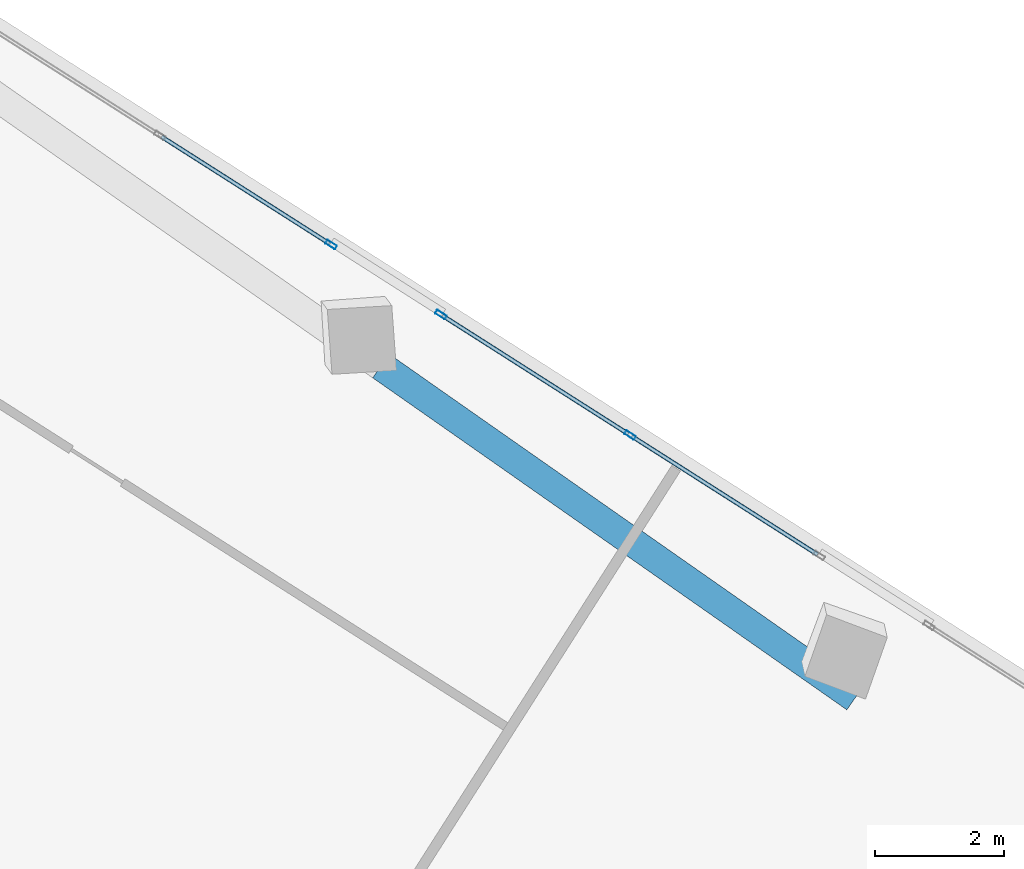
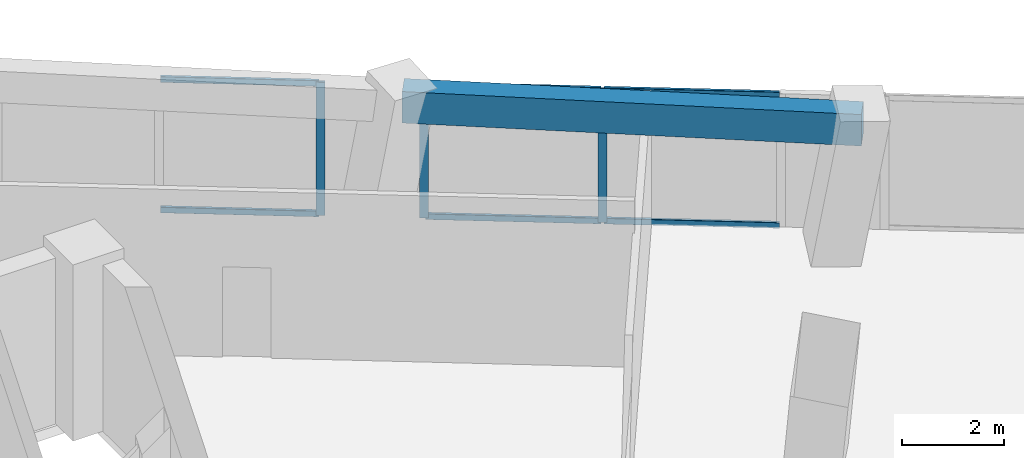
# One storey, part 16 of 24: 9 members, 1 beam, 2 elements without a shape of their own.
"""IFC4 building model written with IfcOpenShell, lengths in metres."""

from ifc_helpers import new_model, si_unit, direction, frame, origin, origin_2d, place, context, subcontext, project, spatial, rectangle, hollow_rectangle, extrude, source, transform, mapped, material, material_profile, profile_set, type_object, element, aggregate, save


model = new_model("IFC4")

# Units and contexts
model_context = context("Model", 3, precision=1e-05, world=origin(), true_north=direction((0.0, 1.0)))
body_context = subcontext(model_context, "Body", "Model", "MODEL_VIEW")
ifc_project = project(units=[si_unit("LENGTHUNIT", "METRE"), si_unit("AREAUNIT", "SQUARE_METRE"), si_unit("VOLUMEUNIT", "CUBIC_METRE"), si_unit("PLANEANGLEUNIT", "RADIAN"), si_unit("MASSUNIT", "GRAM", prefix="KILO")], contexts=[model_context])

# Site, building, storey
site_placement = place(None, origin())
site = spatial("IfcSite", under=ifc_project, at=site_placement, CompositionType="ELEMENT")
building_placement = place(site_placement, origin())
building = spatial("IfcBuilding", under=site, at=building_placement, Name="Torre Montelarca", CompositionType="ELEMENT")
storey_placement = place(building_placement, frame((0.0, 0.0, 191.800048828125)))
storey = spatial("IfcBuildingStorey", under=building, at=storey_placement, Name="L43", CompositionType="ELEMENT", Elevation=191.800048828125)

# Beam
ifc_material_1 = material(Name="Concrete C55/67", Category="concrete")
ifc_material_profile_1 = material_profile(ifc_material_1, rectangle(XDim=0.449951171875, YDim=0.75, at=origin_2d()), Name="RCB450X750", Category="concrete")
ifc_profile_set_1 = profile_set([ifc_material_profile_1], Name="Concrete C55/67")
beam_type = type_object("IfcBeamType", Name="BM-SP-RC750-EXT", PredefinedType="SPANDREL", material=ifc_profile_set_1)
shared_shape_1 = source(origin(), body_context, "Body", "SweptSolid", [
    extrude(rectangle(XDim=0.449951171875, YDim=0.75, at=origin_2d()), origin(), (0.0, 0.0, 1.0), 9.0),
])
beam_placement = place(storey_placement, frame((34.695068359375, 41.255615234375, 3.5849609375), z_axis=(0.819141427692, -0.573591598124, 0.0), x_axis=(0.573591598124, 0.819141427692, 0.0)))
element("IfcBeam", 1, at=beam_placement, inside=storey, type_object=beam_type, Name="L43 Grid Girder X 27.0-36.0 at Y=47.1", PredefinedType="SPANDREL", context=body_context, shape_type="MappedRepresentation", body=[
    mapped(shared_shape_1, transform((0.0, 0.0, 0.0), scale=1.0)),
])

# Curtain wall, members
ifc_material_2 = material(Name="Insulated low-E laminated glass", Category="glass")
curtain_wall_type = type_object("IfcCurtainWallType", Name="CW-SYS-Z2", PredefinedType="USERDEFINED", material=ifc_material_2)
curtain_wall_1_placement = place(storey_placement, origin())
curtain_wall_1 = element("IfcCurtainWall", 2, at=curtain_wall_1_placement, inside=storey, type_object=curtain_wall_type, Name="L43 Curtain Wall Run CW-T3-L43-E08-B2", ObjectType="UNITISED GLAZING", PredefinedType="USERDEFINED")
ifc_material_3 = material(Name="Anodised aluminium AA 6063-T6", Category="aluminium")
ifc_material_profile_2 = material_profile(ifc_material_3, hollow_rectangle(XDim=0.06494140625, YDim=0.179931640625, WallThickness=0.00390625, InnerFilletRadius=0.00390625, OuterFilletRadius=0.008056640625, at=origin_2d()), Name="ALU65X180X4", Category="aluminium")
ifc_profile_set_2 = profile_set([ifc_material_profile_2], Name="Anodised aluminium AA 6063-T6")
member_type_1 = type_object("IfcMemberType", Name="CWM-ALU180", PredefinedType="MULLION", material=ifc_profile_set_2)
shared_shape_2 = source(origin(), body_context, "Body", "SweptSolid", [
    extrude(hollow_rectangle(XDim=0.06494140625, YDim=0.179931640625, WallThickness=0.00390625, InnerFilletRadius=0.00390625, OuterFilletRadius=0.008056640625, at=origin_2d()), origin(), (0.0, 0.0, 1.0), 3.175048828125),
])
member_1_placement = place(storey_placement, frame((38.568359375, 40.180419921875, 0.0), z_axis=(0.0, 0.0, 1.0), x_axis=(-0.537299136145, -0.843391746638, 0.0)))
member_1 = element("IfcMember", 3, at=member_1_placement, type_object=member_type_1, Name="CW mullion 2", PredefinedType="MULLION", context=body_context, shape_type="MappedRepresentation", body=[
    mapped(shared_shape_2, transform((0.0, 0.0, 0.0), scale=1.0)),
])
member_2_placement = place(storey_placement, frame((35.626953125, 42.05419921875, 0.0), z_axis=(0.0, 0.0, 1.0), x_axis=(-0.537299136145, -0.843391746638, 0.0)))
member_2 = element("IfcMember", 4, at=member_2_placement, type_object=member_type_1, Name="CW mullion 3", PredefinedType="MULLION", context=body_context, shape_type="MappedRepresentation", body=[
    mapped(shared_shape_2, transform((0.0, 0.0, 0.0), scale=1.0)),
])

# Curtain wall, member
curtain_wall_2_placement = place(storey_placement, origin())
curtain_wall_2 = element("IfcCurtainWall", 5, at=curtain_wall_2_placement, inside=storey, type_object=curtain_wall_type, Name="L43 Curtain Wall Run CW-T3-L43-E08-B3", ObjectType="UNITISED GLAZING", PredefinedType="USERDEFINED")
member_3_placement = place(storey_placement, frame((33.919189453125, 43.14208984375, 0.0), z_axis=(0.0, 0.0, 1.0), x_axis=(-0.537297609846, -0.843392718995, 0.0)))
member_3 = element("IfcMember", 6, at=member_3_placement, type_object=member_type_1, Name="CW mullion 1", PredefinedType="MULLION", context=body_context, shape_type="MappedRepresentation", body=[
    mapped(shared_shape_2, transform((0.0, 0.0, 0.0), scale=1.0)),
])

# Member
ifc_material_profile_3 = material_profile(ifc_material_3, hollow_rectangle(XDim=0.06494140625, YDim=0.139892578125, WallThickness=0.00390625, InnerFilletRadius=0.00390625, OuterFilletRadius=0.008056640625, at=origin_2d()), Name="ALU65X140X4", Category="aluminium")
ifc_profile_set_3 = profile_set([ifc_material_profile_3], Name="Anodised aluminium AA 6063-T6")
member_type_2 = type_object("IfcMemberType", Name="CWT-ALU140", PredefinedType="USERDEFINED", material=ifc_profile_set_3)
shared_shape_3 = source(origin(), body_context, "Body", "SweptSolid", [
    extrude(hollow_rectangle(XDim=0.06494140625, YDim=0.139892578125, WallThickness=0.00390625, InnerFilletRadius=0.00390625, OuterFilletRadius=0.008056640625, at=origin_2d()), origin(), (0.0, 0.0, 1.0), 3.42236328125),
])
member_4_placement = place(storey_placement, frame((41.482177734375, 38.323974609375, 0.032470703125), z_axis=(-0.843394086607, 0.537295463108, 0.0), x_axis=(-0.537295463108, -0.843394086607, 0.0)))
member_4 = element("IfcMember", 7, at=member_4_placement, type_object=member_type_2, Name="CW transom 1.1", ObjectType="TRANSOM", PredefinedType="USERDEFINED", context=body_context, shape_type="MappedRepresentation", body=[
    mapped(shared_shape_3, transform((0.0, 0.0, 0.0), scale=1.0)),
])

member_5_placement = place(storey_placement, frame((41.482177734375, 38.323974609375, 3.142333984375), z_axis=(-0.843394086607, 0.537295463108, 0.0), x_axis=(-0.537295463108, -0.843394086607, 0.0)))
member_5 = element("IfcMember", 8, at=member_5_placement, type_object=member_type_2, Name="CW transom 1.2", ObjectType="TRANSOM", PredefinedType="USERDEFINED", context=body_context, shape_type="MappedRepresentation", body=[
    mapped(shared_shape_3, transform((0.0, 0.0, 0.0), scale=1.0)),
])

member_6_placement = place(storey_placement, frame((38.541015625, 40.19775390625, 0.032470703125), z_axis=(-0.843394086607, 0.537295463108, 0.0), x_axis=(-0.537295463108, -0.843394086607, 0.0)))
member_6 = element("IfcMember", 9, at=member_6_placement, type_object=member_type_2, Name="CW transom 2.1", ObjectType="TRANSOM", PredefinedType="USERDEFINED", context=body_context, shape_type="MappedRepresentation", body=[
    mapped(shared_shape_3, transform((0.0, 0.0, 0.0), scale=1.0)),
])

member_7_placement = place(storey_placement, frame((38.541015625, 40.19775390625, 3.142333984375), z_axis=(-0.843394086607, 0.537295463108, 0.0), x_axis=(-0.537295463108, -0.843394086607, 0.0)))
member_7 = element("IfcMember", 10, at=member_7_placement, type_object=member_type_2, Name="CW transom 2.2", ObjectType="TRANSOM", PredefinedType="USERDEFINED", context=body_context, shape_type="MappedRepresentation", body=[
    mapped(shared_shape_3, transform((0.0, 0.0, 0.0), scale=1.0)),
])

aggregate(curtain_wall_1, [member_1, member_2, member_4, member_5, member_6, member_7])

shared_shape_4 = source(origin(), body_context, "Body", "SweptSolid", [
    extrude(hollow_rectangle(XDim=0.06494140625, YDim=0.139892578125, WallThickness=0.00390625, InnerFilletRadius=0.00390625, OuterFilletRadius=0.008056640625, at=origin_2d()), origin(), (0.0, 0.0, 1.0), 3.09033203125),
])
member_8_placement = place(storey_placement, frame((33.8916015625, 43.15966796875, 0.032470703125), z_axis=(-0.843404408605, 0.537279260297, 0.0), x_axis=(-0.537279260297, -0.843404408605, 0.0)))
member_8 = element("IfcMember", 11, at=member_8_placement, type_object=member_type_2, Name="CW transom 1.1", ObjectType="TRANSOM", PredefinedType="USERDEFINED", context=body_context, shape_type="MappedRepresentation", body=[
    mapped(shared_shape_4, transform((0.0, 0.0, 0.0), scale=1.0)),
])

member_9_placement = place(storey_placement, frame((33.8916015625, 43.15966796875, 3.142333984375), z_axis=(-0.843404408605, 0.537279260297, 0.0), x_axis=(-0.537279260297, -0.843404408605, 0.0)))
member_9 = element("IfcMember", 12, at=member_9_placement, type_object=member_type_2, Name="CW transom 1.2", ObjectType="TRANSOM", PredefinedType="USERDEFINED", context=body_context, shape_type="MappedRepresentation", body=[
    mapped(shared_shape_4, transform((0.0, 0.0, 0.0), scale=1.0)),
])

aggregate(curtain_wall_2, [member_3, member_8, member_9])

save(model, "model.ifc")
